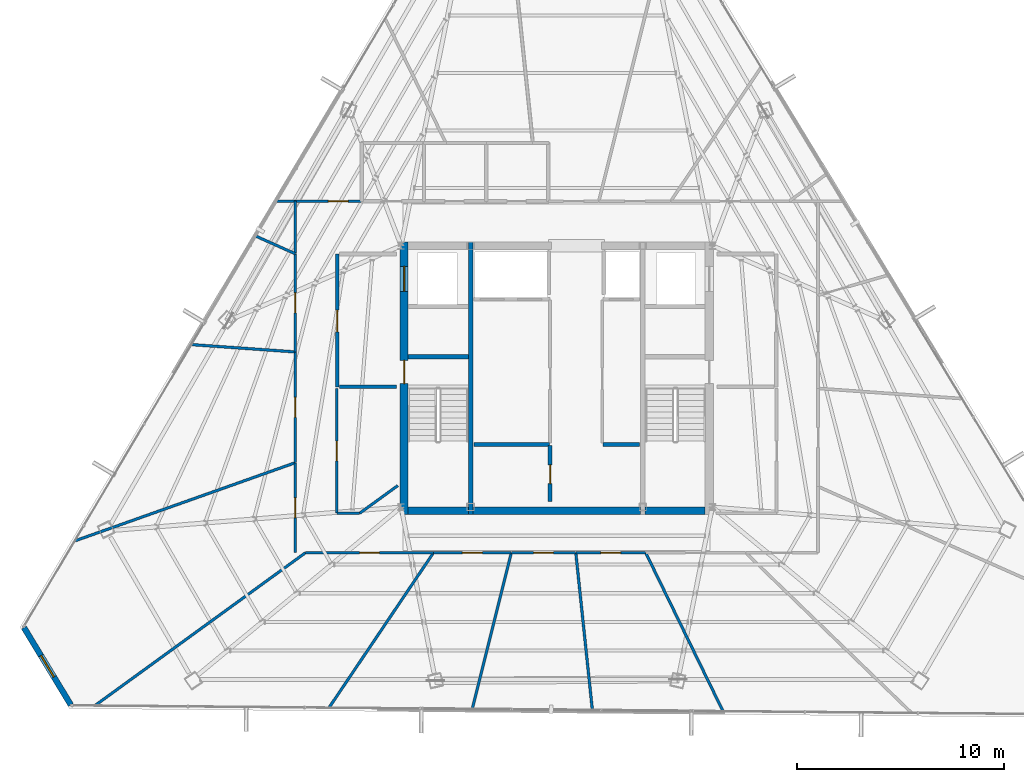
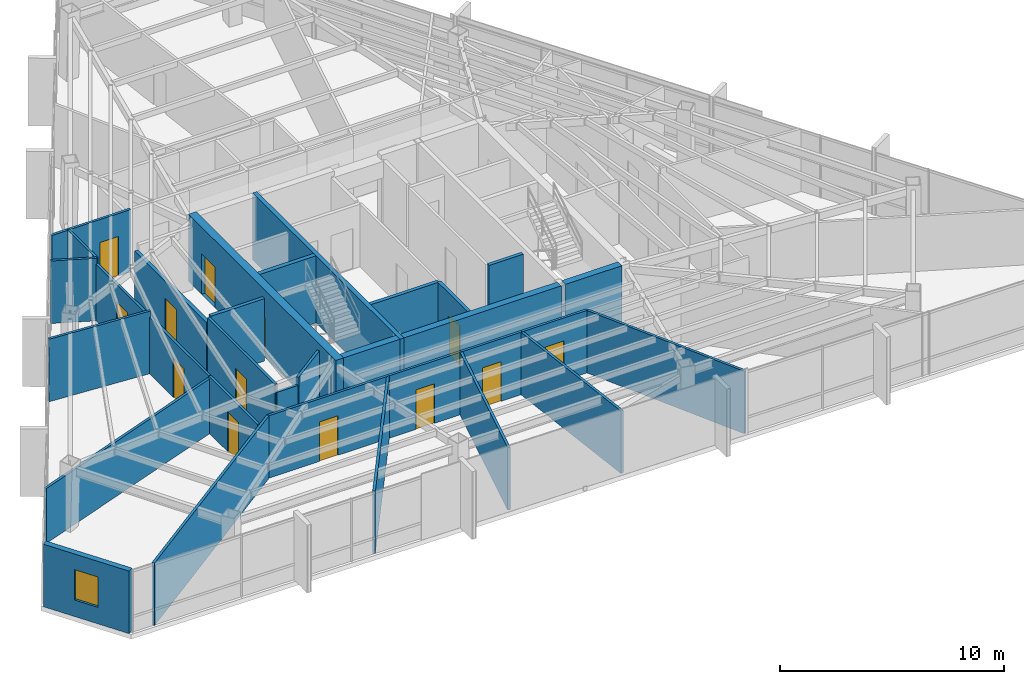
# One storey, part 40 of 45: 32 walls, 13 doors, 1 window, 14 openings.
"""IFC4 building model written with IfcOpenShell, lengths in metres."""

from ifc_helpers import new_model, si_unit, direction, frame, frame_2d, origin, place, context, subcontext, project, spatial, rectangle, extrude, material, layer, layer_set, type_object, element, fill, save


model = new_model("IFC4")

# Units and contexts
model_context = context("Model", 3, precision=1e-05, world=origin(), true_north=direction((0.0, 1.0)))
body_context = subcontext(model_context, "Body", "Model", "MODEL_VIEW")
ifc_project = project(units=[si_unit("LENGTHUNIT", "METRE"), si_unit("AREAUNIT", "SQUARE_METRE"), si_unit("VOLUMEUNIT", "CUBIC_METRE"), si_unit("PLANEANGLEUNIT", "RADIAN"), si_unit("MASSUNIT", "GRAM", prefix="KILO")], contexts=[model_context])

# Site, building, storey
site_placement = place(None, origin())
site = spatial("IfcSite", under=ifc_project, at=site_placement, CompositionType="ELEMENT")
building_placement = place(site_placement, origin())
building = spatial("IfcBuilding", under=site, at=building_placement, Name="Caelisora Broadcast Tower", CompositionType="ELEMENT")
storey_placement = place(building_placement, frame((0.0, 0.0, 240.800048828125)))
storey = spatial("IfcBuildingStorey", under=building, at=storey_placement, Name="L63", CompositionType="ELEMENT", Elevation=240.800048828125)

# Wall, openings, doors
ifc_material_1 = material(Name="Concrete 40 MPa (AS 3600 N40)", Category="concrete")
ifc_layer_1 = layer(ifc_material_1, 0.39990234375, Name="Concrete 40 MPa (AS 3600 N40)")
ifc_layer_set_1 = layer_set([ifc_layer_1], Name="Concrete 40 MPa (AS 3600 N40)")
wall_type_1 = type_object("IfcWallType", Name="CW3", PredefinedType="SHEAR", material=ifc_layer_set_1)
wall_1_placement = place(storey_placement, frame((30.639892578125, 17.050048828125, 0.0), z_axis=(0.0, 0.0, 1.0), x_axis=(0.0, 1.0, 0.0)))
wall_1 = element("IfcWall", 1, at=wall_1_placement, inside=storey, type_object=wall_type_1, Name="L63 core shear wall CW3", PredefinedType="SHEAR", context=body_context, shape_type="SweptSolid", body=[
    extrude(rectangle(XDim=13.125, YDim=0.39990234375, at=frame_2d((6.5625, 0.0))), origin(), (0.0, 0.0, 1.0), 3.64990234375),
])
opening_1_placement = place(wall_1_placement, frame((6.300048828125, 0.0, 0.0)))
opening_1 = element("IfcOpeningElement", 2, at=opening_1_placement, cuts=wall_1, Name="Opening FD04", PredefinedType="OPENING", context=body_context, shape_type="SweptSolid", body=[
    extrude(rectangle(XDim=1.1201171875, YDim=2.14990234375, at=frame_2d((0.56005859375, 1.074951171875))), frame((0.0, 0.2119140625, 0.0), z_axis=(0.0, -1.0, 0.0), x_axis=(1.0, 0.0, 0.0)), (0.0, 0.0, 1.0), 0.423828125),
])
opening_2_placement = place(wall_1_placement, frame((10.75, 0.0, 0.0)))
opening_2 = element("IfcOpeningElement", 3, at=opening_2_placement, cuts=wall_1, Name="Opening LD04", PredefinedType="OPENING", context=body_context, shape_type="SweptSolid", body=[
    extrude(rectangle(XDim=1.199951171875, YDim=2.199951171875, at=frame_2d((0.60009765625, 1.10009765625))), frame((0.0, 0.2119140625, 0.0), z_axis=(0.0, -1.0, 0.0), x_axis=(1.0, 0.0, 0.0)), (0.0, 0.0, 1.0), 0.423828125),
])
ifc_material_2 = material(Name="Pressurised Fire-Isolated Stair Door", Category="steel")
door_type_1 = type_object("IfcDoorType", Name="FD04", OperationType="NOTDEFINED", PredefinedType="DOOR", material=ifc_material_2)
door_1_placement = place(opening_1_placement, origin())
door_1 = element("IfcDoor", 4, at=door_1_placement, inside=storey, type_object=door_type_1, Name="L63 door FD04 (L63-DR-ST1)", OperationType="SINGLE_SWING_LEFT", OverallHeight=2.14990234375, OverallWidth=1.1201171875, PredefinedType="DOOR", context=body_context, shape_type="SweptSolid", body=[
    extrude(rectangle(XDim=1.1201171875, YDim=2.14990234375, at=frame_2d((0.56005859375, 1.074951171875))), frame((0.0, 0.02490234375, 0.0), z_axis=(0.0, -1.0, 0.0), x_axis=(1.0, 0.0, 0.0)), (0.0, 0.0, 1.0), 0.050048828125),
])
fill(opening_1, door_1)
ifc_material_3 = material(Name="Emergency Firefighting Lift Sliding Landing Door", Category="steel")
door_type_2 = type_object("IfcDoorType", Name="LD04", OperationType="NOTDEFINED", PredefinedType="DOOR", material=ifc_material_3)
door_2_placement = place(opening_2_placement, origin())
door_2 = element("IfcDoor", 5, at=door_2_placement, inside=storey, type_object=door_type_2, Name="L63 door LD04 (L63-LD-FFL1)", OperationType="SLIDING_TO_LEFT", OverallHeight=2.199951171875, OverallWidth=1.199951171875, PredefinedType="DOOR", context=body_context, shape_type="SweptSolid", body=[
    extrude(rectangle(XDim=1.199951171875, YDim=2.199951171875, at=frame_2d((0.60009765625, 1.10009765625))), frame((0.0, 0.02490234375, 0.0), z_axis=(0.0, -1.0, 0.0), x_axis=(1.0, 0.0, 0.0)), (0.0, 0.0, 1.0), 0.050048828125),
])
fill(opening_2, door_2)

# Walls
ifc_layer_2 = layer(ifc_material_1, 0.35009765625, Name="Concrete 40 MPa (AS 3600 N40)")
ifc_layer_set_2 = layer_set([ifc_layer_2], Name="Concrete 40 MPa (AS 3600 N40)")
wall_type_2 = type_object("IfcWallType", Name="CW6", PredefinedType="SHEAR", material=ifc_layer_set_2)
wall_2_placement = place(storey_placement, frame((30.840087890625, 17.22509765625, 0.0), z_axis=(0.0, 0.0, 1.0), x_axis=(1.0, 0.0, 0.0)))
element("IfcWall", 6, at=wall_2_placement, inside=storey, type_object=wall_type_2, Name="L63 core shear wall CW6", PredefinedType="SHEAR", context=body_context, shape_type="SweptSolid", body=[
    extrude(rectangle(XDim=2.89990234375, YDim=0.35009765625, at=frame_2d((1.449951171875, 0.0))), origin(), (0.0, 0.0, 1.0), 3.64990234375),
])
wall_3_placement = place(storey_placement, frame((33.9599609375, 17.22509765625, 0.0), z_axis=(0.0, 0.0, 1.0), x_axis=(1.0, 0.0, 0.0)))
element("IfcWall", 7, at=wall_3_placement, inside=storey, type_object=wall_type_2, Name="L63 core shear wall CW6", PredefinedType="SHEAR", context=body_context, shape_type="SweptSolid", body=[
    extrude(rectangle(XDim=8.080078125, YDim=0.35009765625, at=frame_2d((4.0400390625, 0.0))), origin(), (0.0, 0.0, 1.0), 3.64990234375),
])
wall_4_placement = place(storey_placement, frame((42.260009765625, 17.22509765625, 0.0), z_axis=(0.0, 0.0, 1.0), x_axis=(1.0, 0.0, 0.0)))
element("IfcWall", 8, at=wall_4_placement, inside=storey, type_object=wall_type_2, Name="L63 core shear wall CW6", PredefinedType="SHEAR", context=body_context, shape_type="SweptSolid", body=[
    extrude(rectangle(XDim=2.89990234375, YDim=0.35009765625, at=frame_2d((1.449951171875, 0.0))), origin(), (0.0, 0.0, 1.0), 3.64990234375),
])
ifc_material_4 = material(Name="Concrete 50 MPa (AS 3600 S50)", Category="concrete")
ifc_layer_3 = layer(ifc_material_4, 0.219970703125, Name="Concrete 50 MPa (AS 3600 S50)")
ifc_layer_set_3 = layer_set([ifc_layer_3], Name="Concrete 50 MPa (AS 3600 S50)")
wall_type_3 = type_object("IfcWallType", Name="CW7", PredefinedType="SHEAR", material=ifc_layer_set_3)
wall_5_placement = place(storey_placement, frame((33.85009765625, 17.050048828125, 0.0), z_axis=(0.0, 0.0, 1.0), x_axis=(0.0, 1.0, 0.0)))
element("IfcWall", 9, at=wall_5_placement, inside=storey, type_object=wall_type_3, Name="L63 core shear wall CW7", PredefinedType="SHEAR", context=body_context, shape_type="SweptSolid", body=[
    extrude(rectangle(XDim=13.125, YDim=0.219970703125, at=frame_2d((6.5625, 0.0))), origin(), (0.0, 0.0, 1.0), 3.64990234375),
])
wall_6_placement = place(storey_placement, frame((30.840087890625, 24.639892578125, 0.0), z_axis=(0.0, 0.0, 1.0), x_axis=(1.0, 0.0, 0.0)))
element("IfcWall", 10, at=wall_6_placement, inside=storey, type_object=wall_type_3, Name="L63 core shear wall CW7", PredefinedType="SHEAR", context=body_context, shape_type="SweptSolid", body=[
    extrude(rectangle(XDim=2.89990234375, YDim=0.219970703125, at=frame_2d((1.449951171875, 0.0))), origin(), (0.0, 0.0, 1.0), 3.64990234375),
])

# Wall, opening, window
ifc_material_5 = material(Name="Insulated Terracotta Spandrel Wall System", Category="masonry")
ifc_layer_4 = layer(ifc_material_5, 0.280029296875, Name="Insulated Terracotta Spandrel Wall System")
ifc_layer_set_4 = layer_set([ifc_layer_4], Name="Insulated Terracotta Spandrel Wall System")
wall_type_4 = type_object("IfcWallType", Name="EW1", PredefinedType="STANDARD", material=ifc_layer_set_4)
wall_7_placement = place(storey_placement, frame((14.581298828125, 7.860595703125, 0.0), z_axis=(0.0, 0.0, 1.0), x_axis=(-0.518579465924, 0.855029436641, 0.0)))
wall_7 = element("IfcWall", 11, at=wall_7_placement, inside=storey, type_object=wall_type_4, Name="L63 exterior envelope wall EW1", PredefinedType="STANDARD", context=body_context, shape_type="SweptSolid", body=[
    extrude(rectangle(XDim=4.36328125, YDim=0.280029296875, at=frame_2d((2.181640625, 0.0))), origin(), (0.0, 0.0, 1.0), 3.39990234375),
])
opening_3_placement = place(wall_7_placement, frame((1.580078125, 0.0, 0.89990234375)))
opening_3 = element("IfcOpeningElement", 12, at=opening_3_placement, cuts=wall_7, Name="Opening W03", PredefinedType="OPENING", context=body_context, shape_type="SweptSolid", body=[
    extrude(rectangle(XDim=1.199951171875, YDim=1.64990234375, at=frame_2d((0.60009765625, 0.824951171875))), frame((0.0, 0.152099609375, 0.0), z_axis=(0.0, -1.0, 0.0), x_axis=(1.0, 0.0, 0.0)), (0.0, 0.0, 1.0), 0.303955078125),
])
ifc_material_6 = material(Name="Double Glazed Corner Vision Window", Category="glass")
window_type = type_object("IfcWindowType", Name="W03", PartitioningType="SINGLE_PANEL", PredefinedType="WINDOW", material=ifc_material_6)
window_placement = place(opening_3_placement, origin())
window = element("IfcWindow", 13, at=window_placement, inside=storey, type_object=window_type, Name="L63 window W03 (L63-WN-CH4)", OverallHeight=1.64990234375, OverallWidth=1.199951171875, PartitioningType="SINGLE_PANEL", PredefinedType="WINDOW", context=body_context, shape_type="SweptSolid", body=[
    extrude(rectangle(XDim=1.199951171875, YDim=1.64990234375, at=frame_2d((0.60009765625, 0.824951171875))), frame((0.0, 0.030029296875, 0.0), z_axis=(0.0, -1.0, 0.0), x_axis=(1.0, 0.0, 0.0)), (0.0, 0.0, 1.0), 0.06005859375),
])
fill(opening_3, window)

# Wall, opening, door
ifc_material_7 = material(Name="Fire-Rated Gypsum Shaft and Compartment Wall", Category="gypsum")
ifc_layer_5 = layer(ifc_material_7, 0.179931640625, Name="Fire-Rated Gypsum Shaft and Compartment Wall")
ifc_layer_set_5 = layer_set([ifc_layer_5], Name="Fire-Rated Gypsum Shaft and Compartment Wall")
wall_type_5 = type_object("IfcWallType", Name="PW2", PredefinedType="PARTITIONING", material=ifc_layer_set_5)
wall_8_placement = place(storey_placement, frame((27.419921875, 23.199951171875, 0.0), z_axis=(0.0, 0.0, 1.0), x_axis=(0.0, 1.0, 0.0)))
wall_8 = element("IfcWall", 14, at=wall_8_placement, inside=storey, type_object=wall_type_5, Name="L63 fire compartment wall PW2", PredefinedType="PARTITIONING", context=body_context, shape_type="SweptSolid", body=[
    extrude(rectangle(XDim=6.400146484375, YDim=0.179931640625, at=frame_2d((3.2001953125, 0.0))), origin(), (0.0, 0.0, 1.0), 3.0849609375),
])
opening_4_placement = place(wall_8_placement, frame((2.64990234375, 0.0, 0.0)))
opening_4 = element("IfcOpeningElement", 15, at=opening_4_placement, cuts=wall_8, Name="Opening FD02", PredefinedType="OPENING", context=body_context, shape_type="SweptSolid", body=[
    extrude(rectangle(XDim=1.050048828125, YDim=2.14990234375, at=frame_2d((0.52490234375, 1.074951171875))), frame((0.0, 0.10205078125, 0.0), z_axis=(0.0, -1.0, 0.0), x_axis=(1.0, 0.0, 0.0)), (0.0, 0.0, 1.0), 0.203857421875),
])
ifc_material_8 = material(Name="Single-Leaf Steel Fire Lobby Door", Category="steel")
door_type_3 = type_object("IfcDoorType", Name="FD02", OperationType="NOTDEFINED", PredefinedType="DOOR", material=ifc_material_8)
door_3_placement = place(opening_4_placement, origin())
door_3 = element("IfcDoor", 16, at=door_3_placement, inside=storey, type_object=door_type_3, Name="L63 door FD02 (L63-DR-P01D1)", OperationType="SINGLE_SWING_RIGHT", OverallHeight=2.14990234375, OverallWidth=1.050048828125, PredefinedType="DOOR", context=body_context, shape_type="SweptSolid", body=[
    extrude(rectangle(XDim=1.050048828125, YDim=2.14990234375, at=frame_2d((0.52490234375, 1.074951171875))), frame((0.0, 0.02490234375, 0.0), z_axis=(0.0, -1.0, 0.0), x_axis=(1.0, 0.0, 0.0)), (0.0, 0.0, 1.0), 0.050048828125),
])
fill(opening_4, door_3)

# Walls
wall_9_placement = place(storey_placement, frame((27.52001953125, 23.199951171875, 0.0), z_axis=(0.0, 0.0, 1.0), x_axis=(1.0, 0.0, 0.0)))
element("IfcWall", 17, at=wall_9_placement, inside=storey, type_object=wall_type_5, Name="L63 fire compartment wall PW2", PredefinedType="PARTITIONING", context=body_context, shape_type="SweptSolid", body=[
    extrude(rectangle(XDim=2.760009765625, YDim=0.179931640625, at=frame_2d((1.3798828125, 0.0))), origin(), (0.0, 0.0, 1.0), 3.39990234375),
])
wall_10_placement = place(storey_placement, frame((34.02001953125, 20.419921875, 0.0), z_axis=(0.0, 0.0, 1.0), x_axis=(1.0, 0.0, 0.0)))
element("IfcWall", 18, at=wall_10_placement, inside=storey, type_object=wall_type_5, Name="L63 fire compartment wall PW2", PredefinedType="PARTITIONING", context=body_context, shape_type="SweptSolid", body=[
    extrude(rectangle(XDim=3.639892578125, YDim=0.179931640625, at=frame_2d((1.81982421875, 0.0))), origin(), (0.0, 0.0, 1.0), 3.39990234375),
])
wall_11_placement = place(storey_placement, frame((40.219970703125, 20.419921875, 0.0), z_axis=(0.0, 0.0, 1.0), x_axis=(1.0, 0.0, 0.0)))
element("IfcWall", 19, at=wall_11_placement, inside=storey, type_object=wall_type_5, Name="L63 fire compartment wall PW2", PredefinedType="PARTITIONING", context=body_context, shape_type="SweptSolid", body=[
    extrude(rectangle(XDim=1.760009765625, YDim=0.179931640625, at=frame_2d((0.8798828125, 0.0))), origin(), (0.0, 0.0, 1.0), 3.39990234375),
])

# Wall, opening, door
wall_12_placement = place(storey_placement, frame((37.679931640625, 17.679931640625, 0.0), z_axis=(0.0, 0.0, 1.0), x_axis=(0.0, 1.0, 0.0)))
wall_12 = element("IfcWall", 20, at=wall_12_placement, inside=storey, type_object=wall_type_5, Name="L63 fire compartment wall PW2", PredefinedType="PARTITIONING", context=body_context, shape_type="SweptSolid", body=[
    extrude(rectangle(XDim=2.699951171875, YDim=0.179931640625, at=frame_2d((1.35009765625, 0.0))), origin(), (0.0, 0.0, 1.0), 3.39990234375),
])
opening_5_placement = place(wall_12_placement, frame((0.85009765625, 0.0, 0.0)))
opening_5 = element("IfcOpeningElement", 21, at=opening_5_placement, cuts=wall_12, Name="Opening FD03", PredefinedType="OPENING", context=body_context, shape_type="SweptSolid", body=[
    extrude(rectangle(XDim=0.89990234375, YDim=2.10009765625, at=frame_2d((0.449951171875, 1.050048828125))), frame((0.0, 0.10205078125, 0.0), z_axis=(0.0, -1.0, 0.0), x_axis=(1.0, 0.0, 0.0)), (0.0, 0.0, 1.0), 0.203857421875),
])
ifc_material_9 = material(Name="Single-Leaf Steel Riser Fire Access Door", Category="steel")
door_type_4 = type_object("IfcDoorType", Name="FD03", OperationType="NOTDEFINED", PredefinedType="DOOR", material=ifc_material_9)
door_4_placement = place(opening_5_placement, origin())
door_4 = element("IfcDoor", 22, at=door_4_placement, inside=storey, type_object=door_type_4, Name="L63 door FD03 (L63-DR-P13D1)", OperationType="SINGLE_SWING_RIGHT", OverallHeight=2.10009765625, OverallWidth=0.89990234375, PredefinedType="DOOR", context=body_context, shape_type="SweptSolid", body=[
    extrude(rectangle(XDim=0.89990234375, YDim=2.10009765625, at=frame_2d((0.449951171875, 1.050048828125))), frame((0.0, 0.02490234375, 0.0), z_axis=(0.0, -1.0, 0.0), x_axis=(1.0, 0.0, 0.0)), (0.0, 0.0, 1.0), 0.050048828125),
])
fill(opening_5, door_4)

# Walls
ifc_material_10 = material(Name="Acoustic Steel-Stud Plasterboard Partition", Category="gypsum")
ifc_layer_6 = layer(ifc_material_10, 0.1298828125, Name="Acoustic Steel-Stud Plasterboard Partition")
ifc_layer_set_6 = layer_set([ifc_layer_6], Name="Acoustic Steel-Stud Plasterboard Partition")
wall_type_6 = type_object("IfcWallType", Name="PW3", PredefinedType="PARTITIONING", material=ifc_layer_set_6)
wall_13_placement = place(storey_placement, frame((15.72412109375, 7.820068359375, 0.0), z_axis=(0.0, 0.0, 1.0), x_axis=(0.809246953789, 0.58746861004, 0.0)))
element("IfcWall", 23, at=wall_13_placement, inside=storey, type_object=wall_type_6, Name="L63 internal partition PW3", PredefinedType="PARTITIONING", context=body_context, shape_type="SweptSolid", body=[
    extrude(rectangle(XDim=12.55712890625, YDim=0.1298828125, at=frame_2d((6.278564453125, 0.0))), origin(), (0.0, 0.0, 1.0), 3.39990234375),
])
wall_14_placement = place(storey_placement, frame((14.764404296875, 15.767578125, 0.0), z_axis=(0.0, 0.0, 1.0), x_axis=(0.942473726485, 0.334280234064, 0.0)))
element("IfcWall", 24, at=wall_14_placement, inside=storey, type_object=wall_type_6, Name="L63 internal partition PW3", PredefinedType="PARTITIONING", context=body_context, shape_type="SweptSolid", body=[
    extrude(rectangle(XDim=11.279541015625, YDim=0.1298828125, at=frame_2d((5.6396484375, 0.0))), origin(), (0.0, 0.0, 1.0), 2.98486328125),
])
wall_15_placement = place(storey_placement, frame((27.0166015625, 7.71875, 0.0), z_axis=(0.0, 0.0, 1.0), x_axis=(0.558947765168, 0.829202867707, 0.0)))
element("IfcWall", 25, at=wall_15_placement, inside=storey, type_object=wall_type_6, Name="L63 internal partition PW3", PredefinedType="PARTITIONING", context=body_context, shape_type="SweptSolid", body=[
    extrude(rectangle(XDim=9.017333984375, YDim=0.1298828125, at=frame_2d((4.5087890625, 0.0))), origin(), (0.0, 0.0, 1.0), 3.39990234375),
])
wall_16_placement = place(storey_placement, frame((42.2919921875, 15.196044921875, 0.0), z_axis=(0.0, 0.0, 1.0), x_axis=(0.43837784358, -0.898790780025, 0.0)))
element("IfcWall", 26, at=wall_16_placement, inside=storey, type_object=wall_type_6, Name="L63 internal partition PW3", PredefinedType="PARTITIONING", context=body_context, shape_type="SweptSolid", body=[
    extrude(rectangle(XDim=8.509033203125, YDim=0.1298828125, at=frame_2d((4.25439453125, 0.0))), origin(), (0.0, 0.0, 1.0), 3.39990234375),
])
wall_17_placement = place(storey_placement, frame((33.92431640625, 7.65673828125, 0.0), z_axis=(0.0, 0.0, 1.0), x_axis=(0.242557803376, 0.970136955291, 0.0)))
element("IfcWall", 27, at=wall_17_placement, inside=storey, type_object=wall_type_6, Name="L63 internal partition PW3", PredefinedType="PARTITIONING", context=body_context, shape_type="SweptSolid", body=[
    extrude(rectangle(XDim=7.770263671875, YDim=0.1298828125, at=frame_2d((3.88525390625, 0.0))), origin(), (0.0, 0.0, 1.0), 3.39990234375),
])
wall_18_placement = place(storey_placement, frame((38.9208984375, 15.195068359375, 0.0), z_axis=(0.0, 0.0, 1.0), x_axis=(0.104693109871, -0.994504576533, 0.0)))
element("IfcWall", 28, at=wall_18_placement, inside=storey, type_object=wall_type_6, Name="L63 internal partition PW3", PredefinedType="PARTITIONING", context=body_context, shape_type="SweptSolid", body=[
    extrude(rectangle(XDim=7.632568359375, YDim=0.1298828125, at=frame_2d((3.81640625, 0.0))), origin(), (0.0, 0.0, 1.0), 3.39990234375),
])

# Wall, opening, door
wall_19_placement = place(storey_placement, frame((25.89501953125, 15.199951171875, 0.0), z_axis=(0.0, 0.0, 1.0), x_axis=(1.0, 0.0, 0.0)))
wall_19 = element("IfcWall", 29, at=wall_19_placement, inside=storey, type_object=wall_type_6, Name="L63 internal partition PW3", PredefinedType="PARTITIONING", context=body_context, shape_type="SweptSolid", body=[
    extrude(rectangle(XDim=6.159912109375, YDim=0.1298828125, at=frame_2d((3.080078125, 0.0))), origin(), (0.0, 0.0, 1.0), 3.39990234375),
])
opening_6_placement = place(wall_19_placement, frame((2.60009765625, 0.0, 0.0)))
opening_6 = element("IfcOpeningElement", 30, at=opening_6_placement, cuts=wall_19, Name="Opening D01", PredefinedType="OPENING", context=body_context, shape_type="SweptSolid", body=[
    extrude(rectangle(XDim=0.9599609375, YDim=2.14990234375, at=frame_2d((0.47998046875, 1.074951171875))), frame((0.0, 0.076904296875, 0.0), z_axis=(0.0, -1.0, 0.0), x_axis=(1.0, 0.0, 0.0)), (0.0, 0.0, 1.0), 0.15380859375),
])
ifc_material_11 = material(Name="Solid-Core Timber Acoustic Office Door", Category="wood")
door_type_5 = type_object("IfcDoorType", Name="D01", OperationType="NOTDEFINED", PredefinedType="DOOR", material=ifc_material_11)
door_5_placement = place(opening_6_placement, origin())
door_5 = element("IfcDoor", 31, at=door_5_placement, inside=storey, type_object=door_type_5, Name="L63 door D01 (L63-DR-P41D1)", OperationType="SINGLE_SWING_LEFT", OverallHeight=2.14990234375, OverallWidth=0.9599609375, PredefinedType="DOOR", context=body_context, shape_type="SweptSolid", body=[
    extrude(rectangle(XDim=0.9599609375, YDim=2.14990234375, at=frame_2d((0.47998046875, 1.074951171875))), frame((0.0, 0.02490234375, 0.0), z_axis=(0.0, -1.0, 0.0), x_axis=(1.0, 0.0, 0.0)), (0.0, 0.0, 1.0), 0.050048828125),
])
fill(opening_6, door_5)

wall_20_placement = place(storey_placement, frame((27.39990234375, 17.10498046875, 0.0), z_axis=(0.0, 0.0, 1.0), x_axis=(0.0, 1.0, 0.0)))
wall_20 = element("IfcWall", 32, at=wall_20_placement, inside=storey, type_object=wall_type_6, Name="L63 internal partition PW3", PredefinedType="PARTITIONING", context=body_context, shape_type="SweptSolid", body=[
    extrude(rectangle(XDim=6.0, YDim=0.1298828125, at=frame_2d((3.0, 0.0))), origin(), (0.0, 0.0, 1.0), 3.39990234375),
])
opening_7_placement = place(wall_20_placement, frame((2.52001953125, 0.0, 0.0)))
opening_7 = element("IfcOpeningElement", 33, at=opening_7_placement, cuts=wall_20, Name="Opening D01", PredefinedType="OPENING", context=body_context, shape_type="SweptSolid", body=[
    extrude(rectangle(XDim=0.9599609375, YDim=2.14990234375, at=frame_2d((0.47998046875, 1.074951171875))), frame((0.0, 0.076904296875, 0.0), z_axis=(0.0, -1.0, 0.0), x_axis=(1.0, 0.0, 0.0)), (0.0, 0.0, 1.0), 0.15380859375),
])
door_6_placement = place(opening_7_placement, origin())
door_6 = element("IfcDoor", 34, at=door_6_placement, inside=storey, type_object=door_type_5, Name="L63 door D01 (L63-DR-P42D1)", OperationType="SINGLE_SWING_RIGHT", OverallHeight=2.14990234375, OverallWidth=0.9599609375, PredefinedType="DOOR", context=body_context, shape_type="SweptSolid", body=[
    extrude(rectangle(XDim=0.9599609375, YDim=2.14990234375, at=frame_2d((0.47998046875, 1.074951171875))), frame((0.0, 0.02490234375, 0.0), z_axis=(0.0, -1.0, 0.0), x_axis=(1.0, 0.0, 0.0)), (0.0, 0.0, 1.0), 0.050048828125),
])
fill(opening_7, door_6)

wall_21_placement = place(storey_placement, frame((25.39990234375, 19.544921875, 0.0), z_axis=(0.0, 0.0, 1.0), x_axis=(0.0, 1.0, 0.0)))
wall_21 = element("IfcWall", 35, at=wall_21_placement, inside=storey, type_object=wall_type_6, Name="L63 internal partition PW3", PredefinedType="PARTITIONING", context=body_context, shape_type="SweptSolid", body=[
    extrude(rectangle(XDim=5.330078125, YDim=0.1298828125, at=frame_2d((2.6650390625, 0.0))), origin(), (0.0, 0.0, 1.0), 3.0849609375),
])
opening_8_placement = place(wall_21_placement, frame((2.18505859375, 0.0, 0.0)))
opening_8 = element("IfcOpeningElement", 36, at=opening_8_placement, cuts=wall_21, Name="Opening D01", PredefinedType="OPENING", context=body_context, shape_type="SweptSolid", body=[
    extrude(rectangle(XDim=0.9599609375, YDim=2.14990234375, at=frame_2d((0.47998046875, 1.074951171875))), frame((0.0, 0.076904296875, 0.0), z_axis=(0.0, -1.0, 0.0), x_axis=(1.0, 0.0, 0.0)), (0.0, 0.0, 1.0), 0.15380859375),
])
door_7_placement = place(opening_8_placement, origin())
door_7 = element("IfcDoor", 37, at=door_7_placement, inside=storey, type_object=door_type_5, Name="L63 door D01 (L63-DR-P45D1)", OperationType="SINGLE_SWING_LEFT", OverallHeight=2.14990234375, OverallWidth=0.9599609375, PredefinedType="DOOR", context=body_context, shape_type="SweptSolid", body=[
    extrude(rectangle(XDim=0.9599609375, YDim=2.14990234375, at=frame_2d((0.47998046875, 1.074951171875))), frame((0.0, 0.02490234375, 0.0), z_axis=(0.0, -1.0, 0.0), x_axis=(1.0, 0.0, 0.0)), (0.0, 0.0, 1.0), 0.050048828125),
])
fill(opening_8, door_7)

# Wall
wall_22_placement = place(storey_placement, frame((20.39013671875, 25.232177734375, 0.0), z_axis=(0.0, 0.0, 1.0), x_axis=(0.997531775149, -0.070216504953, 0.0)))
element("IfcWall", 38, at=wall_22_placement, inside=storey, type_object=wall_type_6, Name="L63 internal partition PW3", PredefinedType="PARTITIONING", context=body_context, shape_type="SweptSolid", body=[
    extrude(rectangle(XDim=5.017333984375, YDim=0.1298828125, at=frame_2d((2.5087890625, 0.0))), origin(), (0.0, 0.0, 1.0), 3.39990234375),
])

# Wall, opening, door
wall_23_placement = place(storey_placement, frame((25.39990234375, 24.885009765625, 0.0), z_axis=(0.0, 0.0, 1.0), x_axis=(0.0, 1.0, 0.0)))
wall_23 = element("IfcWall", 39, at=wall_23_placement, inside=storey, type_object=wall_type_6, Name="L63 internal partition PW3", PredefinedType="PARTITIONING", context=body_context, shape_type="SweptSolid", body=[
    extrude(rectangle(XDim=4.719970703125, YDim=0.1298828125, at=frame_2d((2.35986328125, 0.0))), origin(), (0.0, 0.0, 1.0), 3.0849609375),
])
opening_9_placement = place(wall_23_placement, frame((1.8798828125, 0.0, 0.0)))
opening_9 = element("IfcOpeningElement", 40, at=opening_9_placement, cuts=wall_23, Name="Opening D01", PredefinedType="OPENING", context=body_context, shape_type="SweptSolid", body=[
    extrude(rectangle(XDim=0.9599609375, YDim=2.14990234375, at=frame_2d((0.47998046875, 1.074951171875))), frame((0.0, 0.076904296875, 0.0), z_axis=(0.0, -1.0, 0.0), x_axis=(1.0, 0.0, 0.0)), (0.0, 0.0, 1.0), 0.15380859375),
])
door_8_placement = place(opening_9_placement, origin())
door_8 = element("IfcDoor", 41, at=door_8_placement, inside=storey, type_object=door_type_5, Name="L63 door D01 (L63-DR-P49D1)", OperationType="SINGLE_SWING_RIGHT", OverallHeight=2.14990234375, OverallWidth=0.9599609375, PredefinedType="DOOR", context=body_context, shape_type="SweptSolid", body=[
    extrude(rectangle(XDim=0.9599609375, YDim=2.14990234375, at=frame_2d((0.47998046875, 1.074951171875))), frame((0.0, 0.02490234375, 0.0), z_axis=(0.0, -1.0, 0.0), x_axis=(1.0, 0.0, 0.0)), (0.0, 0.0, 1.0), 0.050048828125),
])
fill(opening_9, door_8)

wall_24_placement = place(storey_placement, frame((25.39990234375, 19.534912109375, 0.0), z_axis=(0.0, 0.0, 1.0), x_axis=(0.0, -1.0, 0.0)))
wall_24 = element("IfcWall", 42, at=wall_24_placement, inside=storey, type_object=wall_type_6, Name="L63 internal partition PW3", PredefinedType="PARTITIONING", context=body_context, shape_type="SweptSolid", body=[
    extrude(rectangle(XDim=4.329833984375, YDim=0.1298828125, at=frame_2d((2.1650390625, 0.0))), origin(), (0.0, 0.0, 1.0), 3.0849609375),
])
opening_10_placement = place(wall_24_placement, frame((1.68505859375, 0.0, 0.0)))
opening_10 = element("IfcOpeningElement", 43, at=opening_10_placement, cuts=wall_24, Name="Opening D01", PredefinedType="OPENING", context=body_context, shape_type="SweptSolid", body=[
    extrude(rectangle(XDim=0.9599609375, YDim=2.14990234375, at=frame_2d((0.47998046875, 1.074951171875))), frame((0.0, 0.076904296875, 0.0), z_axis=(0.0, -1.0, 0.0), x_axis=(1.0, 0.0, 0.0)), (0.0, 0.0, 1.0), 0.15380859375),
])
door_9_placement = place(opening_10_placement, origin())
door_9 = element("IfcDoor", 44, at=door_9_placement, inside=storey, type_object=door_type_5, Name="L63 door D01 (L63-DR-P52D1)", OperationType="SINGLE_SWING_RIGHT", OverallHeight=2.14990234375, OverallWidth=0.9599609375, PredefinedType="DOOR", context=body_context, shape_type="SweptSolid", body=[
    extrude(rectangle(XDim=0.9599609375, YDim=2.14990234375, at=frame_2d((0.47998046875, 1.074951171875))), frame((0.0, 0.02490234375, 0.0), z_axis=(0.0, -1.0, 0.0), x_axis=(1.0, 0.0, 0.0)), (0.0, 0.0, 1.0), 0.050048828125),
])
fill(opening_10, door_9)

wall_25_placement = place(storey_placement, frame((32.06494140625, 15.199951171875, 0.0), z_axis=(0.0, 0.0, 1.0), x_axis=(1.0, 0.0, 0.0)))
wall_25 = element("IfcWall", 45, at=wall_25_placement, inside=storey, type_object=wall_type_6, Name="L63 internal partition PW3", PredefinedType="PARTITIONING", context=body_context, shape_type="SweptSolid", body=[
    extrude(rectangle(XDim=3.739990234375, YDim=0.1298828125, at=frame_2d((1.8701171875, 0.0))), origin(), (0.0, 0.0, 1.0), 3.39990234375),
])
opening_11_placement = place(wall_25_placement, frame((1.389892578125, 0.0, 0.0)))
opening_11 = element("IfcOpeningElement", 46, at=opening_11_placement, cuts=wall_25, Name="Opening D01", PredefinedType="OPENING", context=body_context, shape_type="SweptSolid", body=[
    extrude(rectangle(XDim=0.9599609375, YDim=2.14990234375, at=frame_2d((0.47998046875, 1.074951171875))), frame((0.0, 0.076904296875, 0.0), z_axis=(0.0, -1.0, 0.0), x_axis=(1.0, 0.0, 0.0)), (0.0, 0.0, 1.0), 0.15380859375),
])
door_10_placement = place(opening_11_placement, origin())
door_10 = element("IfcDoor", 47, at=door_10_placement, inside=storey, type_object=door_type_5, Name="L63 door D01 (L63-DR-P53D1)", OperationType="SINGLE_SWING_LEFT", OverallHeight=2.14990234375, OverallWidth=0.9599609375, PredefinedType="DOOR", context=body_context, shape_type="SweptSolid", body=[
    extrude(rectangle(XDim=0.9599609375, YDim=2.14990234375, at=frame_2d((0.47998046875, 1.074951171875))), frame((0.0, 0.02490234375, 0.0), z_axis=(0.0, -1.0, 0.0), x_axis=(1.0, 0.0, 0.0)), (0.0, 0.0, 1.0), 0.050048828125),
])
fill(opening_11, door_10)

wall_26_placement = place(storey_placement, frame((38.925048828125, 15.199951171875, 0.0), z_axis=(0.0, 0.0, 1.0), x_axis=(1.0, 0.0, 0.0)))
wall_26 = element("IfcWall", 48, at=wall_26_placement, inside=storey, type_object=wall_type_6, Name="L63 internal partition PW3", PredefinedType="PARTITIONING", context=body_context, shape_type="SweptSolid", body=[
    extrude(rectangle(XDim=3.35986328125, YDim=0.1298828125, at=frame_2d((1.679931640625, 0.0))), origin(), (0.0, 0.0, 1.0), 3.39990234375),
])
opening_12_placement = place(wall_26_placement, frame((1.199951171875, 0.0, 0.0)))
opening_12 = element("IfcOpeningElement", 49, at=opening_12_placement, cuts=wall_26, Name="Opening D01", PredefinedType="OPENING", context=body_context, shape_type="SweptSolid", body=[
    extrude(rectangle(XDim=0.9599609375, YDim=2.14990234375, at=frame_2d((0.47998046875, 1.074951171875))), frame((0.0, 0.076904296875, 0.0), z_axis=(0.0, -1.0, 0.0), x_axis=(1.0, 0.0, 0.0)), (0.0, 0.0, 1.0), 0.15380859375),
])
door_11_placement = place(opening_12_placement, origin())
door_11 = element("IfcDoor", 50, at=door_11_placement, inside=storey, type_object=door_type_5, Name="L63 door D01 (L63-DR-P57D1)", OperationType="SINGLE_SWING_LEFT", OverallHeight=2.14990234375, OverallWidth=0.9599609375, PredefinedType="DOOR", context=body_context, shape_type="SweptSolid", body=[
    extrude(rectangle(XDim=0.9599609375, YDim=2.14990234375, at=frame_2d((0.47998046875, 1.074951171875))), frame((0.0, 0.02490234375, 0.0), z_axis=(0.0, -1.0, 0.0), x_axis=(1.0, 0.0, 0.0)), (0.0, 0.0, 1.0), 0.050048828125),
])
fill(opening_12, door_11)

wall_27_placement = place(storey_placement, frame((24.528076171875, 32.14990234375, 0.0), z_axis=(0.0, 0.0, 1.0), x_axis=(1.0, 0.0, 0.0)))
wall_27 = element("IfcWall", 51, at=wall_27_placement, inside=storey, type_object=wall_type_6, Name="L63 internal partition PW3", PredefinedType="PARTITIONING", context=body_context, shape_type="SweptSolid", body=[
    extrude(rectangle(XDim=4.06689453125, YDim=0.1298828125, at=frame_2d((2.033447265625, 0.0))), origin(), (0.0, 0.0, 1.0), 3.39990234375),
])
opening_13_placement = place(wall_27_placement, frame((2.4599609375, 0.0, 0.0)))
opening_13 = element("IfcOpeningElement", 52, at=opening_13_placement, cuts=wall_27, Name="Opening D01", PredefinedType="OPENING", context=body_context, shape_type="SweptSolid", body=[
    extrude(rectangle(XDim=0.9599609375, YDim=2.14990234375, at=frame_2d((0.47998046875, 1.074951171875))), frame((0.0, 0.076904296875, 0.0), z_axis=(0.0, -1.0, 0.0), x_axis=(1.0, 0.0, 0.0)), (0.0, 0.0, 1.0), 0.15380859375),
])
door_12_placement = place(opening_13_placement, origin())
door_12 = element("IfcDoor", 53, at=door_12_placement, inside=storey, type_object=door_type_5, Name="L63 door D01 (L63-DR-P58D1)", OperationType="SINGLE_SWING_RIGHT", OverallHeight=2.14990234375, OverallWidth=0.9599609375, PredefinedType="DOOR", context=body_context, shape_type="SweptSolid", body=[
    extrude(rectangle(XDim=0.9599609375, YDim=2.14990234375, at=frame_2d((0.47998046875, 1.074951171875))), frame((0.0, 0.02490234375, 0.0), z_axis=(0.0, -1.0, 0.0), x_axis=(1.0, 0.0, 0.0)), (0.0, 0.0, 1.0), 0.050048828125),
])
fill(opening_13, door_12)

wall_28_placement = place(storey_placement, frame((35.81494140625, 15.199951171875, 0.0), z_axis=(0.0, 0.0, 1.0), x_axis=(1.0, 0.0, 0.0)))
wall_28 = element("IfcWall", 54, at=wall_28_placement, inside=storey, type_object=wall_type_6, Name="L63 internal partition PW3", PredefinedType="PARTITIONING", context=body_context, shape_type="SweptSolid", body=[
    extrude(rectangle(XDim=3.10009765625, YDim=0.1298828125, at=frame_2d((1.550048828125, 0.0))), origin(), (0.0, 0.0, 1.0), 3.39990234375),
])
opening_14_placement = place(wall_28_placement, frame((1.070068359375, 0.0, 0.0)))
opening_14 = element("IfcOpeningElement", 55, at=opening_14_placement, cuts=wall_28, Name="Opening D01", PredefinedType="OPENING", context=body_context, shape_type="SweptSolid", body=[
    extrude(rectangle(XDim=0.9599609375, YDim=2.14990234375, at=frame_2d((0.47998046875, 1.074951171875))), frame((0.0, 0.076904296875, 0.0), z_axis=(0.0, -1.0, 0.0), x_axis=(1.0, 0.0, 0.0)), (0.0, 0.0, 1.0), 0.15380859375),
])
door_13_placement = place(opening_14_placement, origin())
door_13 = element("IfcDoor", 56, at=door_13_placement, inside=storey, type_object=door_type_5, Name="L63 door D01 (L63-DR-P60D1)", OperationType="SINGLE_SWING_LEFT", OverallHeight=2.14990234375, OverallWidth=0.9599609375, PredefinedType="DOOR", context=body_context, shape_type="SweptSolid", body=[
    extrude(rectangle(XDim=0.9599609375, YDim=2.14990234375, at=frame_2d((0.47998046875, 1.074951171875))), frame((0.0, 0.02490234375, 0.0), z_axis=(0.0, -1.0, 0.0), x_axis=(1.0, 0.0, 0.0)), (0.0, 0.0, 1.0), 0.050048828125),
])
fill(opening_14, door_13)

# Walls
wall_29_placement = place(storey_placement, frame((25.39990234375, 29.614990234375, 0.0), z_axis=(0.0, 0.0, 1.0), x_axis=(0.0, 1.0, 0.0)))
element("IfcWall", 57, at=wall_29_placement, inside=storey, type_object=wall_type_6, Name="L63 internal partition PW3", PredefinedType="PARTITIONING", context=body_context, shape_type="SweptSolid", body=[
    extrude(rectangle(XDim=2.530029296875, YDim=0.1298828125, at=frame_2d((1.26513671875, 0.0))), origin(), (0.0, 0.0, 1.0), 3.39990234375),
])
wall_30_placement = place(storey_placement, frame((30.339111328125, 18.43603515625, 0.0), z_axis=(0.0, 0.0, 1.0), x_axis=(-0.809089677868, -0.587685199037, 0.0)))
element("IfcWall", 58, at=wall_30_placement, inside=storey, type_object=wall_type_6, Name="L63 internal partition PW3", PredefinedType="PARTITIONING", context=body_context, shape_type="SweptSolid", body=[
    extrude(rectangle(XDim=2.268310546875, YDim=0.1298828125, at=frame_2d((1.13427734375, 0.0))), origin(), (0.0, 0.0, 1.0), 3.39990234375),
])
wall_31_placement = place(storey_placement, frame((23.498046875, 30.460693359375, 0.0), z_axis=(0.0, 0.0, 1.0), x_axis=(0.912820556741, -0.408360908009, 0.0)))
element("IfcWall", 59, at=wall_31_placement, inside=storey, type_object=wall_type_6, Name="L63 internal partition PW3", PredefinedType="PARTITIONING", context=body_context, shape_type="SweptSolid", body=[
    extrude(rectangle(XDim=2.078125, YDim=0.1298828125, at=frame_2d((1.0390625, 0.0))), origin(), (0.0, 0.0, 1.0), 3.39990234375),
])
wall_32_placement = place(storey_placement, frame((28.4951171875, 17.10009765625, 0.0), z_axis=(0.0, 0.0, 1.0), x_axis=(-1.0, 0.0, 0.0)))
element("IfcWall", 60, at=wall_32_placement, inside=storey, type_object=wall_type_6, Name="L63 internal partition PW3", PredefinedType="PARTITIONING", context=body_context, shape_type="SweptSolid", body=[
    extrude(rectangle(XDim=1.090087890625, YDim=0.1298828125, at=frame_2d((0.544921875, 0.0))), origin(), (0.0, 0.0, 1.0), 2.98486328125),
])

save(model, "model.ifc")
